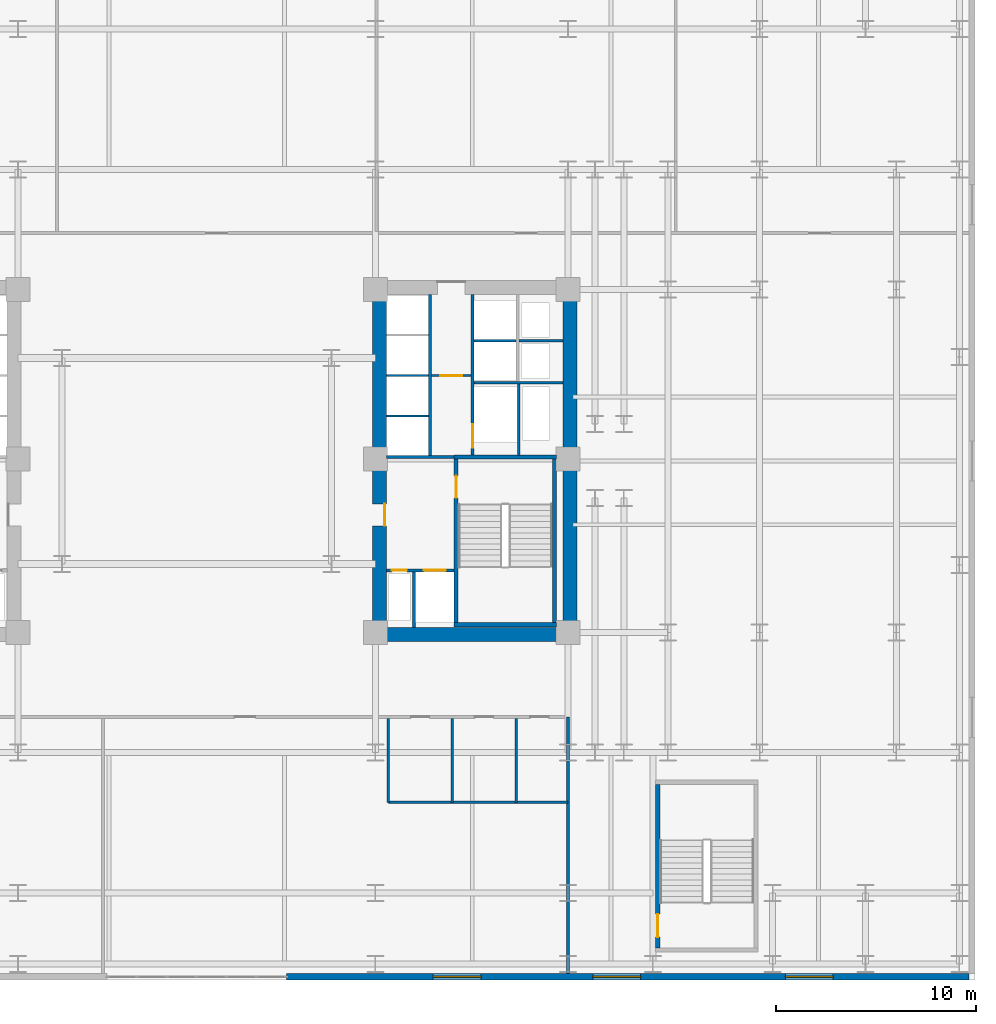
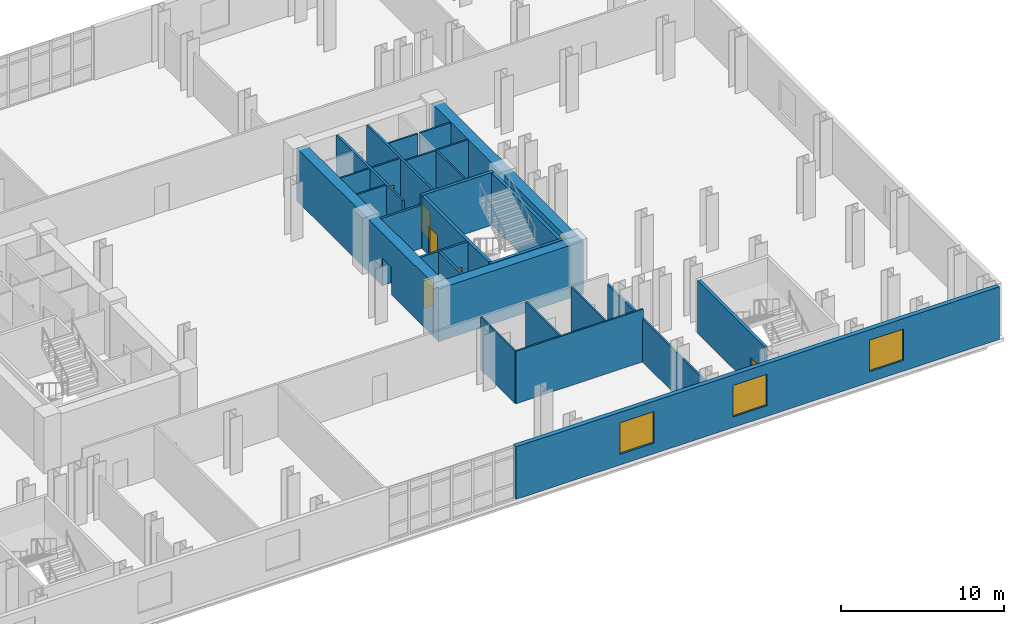
# One storey, part 9 of 13: 26 walls, 7 doors, 3 windows, 10 openings.
"""IFC4 building model written with IfcOpenShell, lengths in metres."""

import ifcopenshell
import ifcopenshell.guid

model = None  # the IFC model being written
_history = None  # IfcOwnerHistory: only IFC2X3 demands one
_inside = {}  # id of a spatial element -> (the spatial element, [elements in it])
_under = {}  # id of a project, library or spatial element -> (it, [spatial elements below it])
_declared = {}  # id of a project -> (the project, [libraries it declares])
_typed = {}  # id of a type object -> (the type object, [elements of that type])
_made_of = {}  # id of a material, layer set ... -> (it, [elements and type objects made of it])


def new_model(schema):
    """Start an empty IFC model of exactly this schema.

    Asked for "IFC4X3", IfcOpenShell would pick the latest addendum, in which some entities
    have other attributes; the version numbers below select the first issue.
    IFC2X3 requires an IfcOwnerHistory on every rooted entity: one is made here for all.
    """
    global model, _history
    if schema == "IFC4X3":
        model = ifcopenshell.file(schema_version=(4, 3, 0, 0))
    else:
        model = ifcopenshell.file(schema=schema)
    _inside.clear()
    _under.clear()
    _declared.clear()
    _typed.clear()
    _made_of.clear()
    _history = None
    if model.schema == "IFC2X3":
        org = make("IfcOrganization", Name="unknown")
        user = make(
            "IfcPersonAndOrganization",
            ThePerson=make("IfcPerson", FamilyName="unknown"),
            TheOrganization=org,
        )
        app = make(
            "IfcApplication",
            ApplicationDeveloper=org,
            Version="unknown",
            ApplicationFullName="unknown",
            ApplicationIdentifier="unknown",
        )
        _history = make(
            "IfcOwnerHistory",
            OwningUser=user,
            OwningApplication=app,
            ChangeAction="ADDED",
            CreationDate=0,
        )
    return model


def make(cls, **values):
    """One entity of the class cls with the attributes given. An attribute that is None is left unset."""
    return model.create_entity(
        cls, **{name: value for name, value in values.items() if value is not None}
    )


def rooted(cls, **values):
    """An entity with a GlobalId (a new one), such as an element, a storey or a relation."""
    return make(cls, GlobalId=ifcopenshell.guid.new(), OwnerHistory=_history, **values)


def si_unit(unit_type, name, prefix=None):
    """IfcSIUnit, for example si_unit("LENGTHUNIT", "METRE", prefix="MILLI")."""
    return make("IfcSIUnit", UnitType=unit_type, Prefix=prefix, Name=name)


def assignment(units):
    """IfcUnitAssignment: the units of a project."""
    return None if units is None else make("IfcUnitAssignment", Units=units)


def point(xyz):
    """IfcCartesianPoint."""
    return None if xyz is None else make("IfcCartesianPoint", Coordinates=xyz)


def direction(xyz):
    """IfcDirection."""
    return None if xyz is None else make("IfcDirection", DirectionRatios=xyz)


def frame(location, z_axis=None, x_axis=None):
    """IfcAxis2Placement3D, a coordinate frame: its origin and axes. An axis left out is left unset."""
    return make(
        "IfcAxis2Placement3D",
        Location=point(location),
        Axis=direction(z_axis),
        RefDirection=direction(x_axis),
    )


def frame_2d(location, x_axis=None):
    """IfcAxis2Placement2D, a coordinate frame in the plane: its origin and x axis."""
    return make(
        "IfcAxis2Placement2D", Location=point(location), RefDirection=direction(x_axis)
    )


def origin():
    """The frame at (0, 0, 0) with its axes left unset."""
    return frame((0.0, 0.0, 0.0))


def place(relative_to, where):
    """IfcLocalPlacement: puts the frame where relative to a parent placement (None: the world)."""
    return make(
        "IfcLocalPlacement", PlacementRelTo=relative_to, RelativePlacement=where
    )


def context(
    kind, dimensions, precision=None, world=None, true_north=None, identifier=None
):
    """IfcGeometricRepresentationContext, for example the 3D "Model" context."""
    return make(
        "IfcGeometricRepresentationContext",
        ContextIdentifier=identifier,
        ContextType=kind,
        CoordinateSpaceDimension=dimensions,
        Precision=precision,
        WorldCoordinateSystem=world,
        TrueNorth=true_north,
    )


def subcontext(parent, identifier, kind, view, scale=None):
    """IfcGeometricRepresentationSubContext, for example "Body" below "Model"."""
    return make(
        "IfcGeometricRepresentationSubContext",
        ContextIdentifier=identifier,
        ContextType=kind,
        ParentContext=parent,
        TargetScale=scale,
        TargetView=view,
    )


def project(units=None, contexts=None):
    """IfcProject with its units and contexts."""
    return rooted(
        "IfcProject",
        Name="project",
        RepresentationContexts=contexts,
        UnitsInContext=assignment(units),
    )


def spatial(cls, under=None, at=None, **own):
    """A site, building, storey or space (cls), placed at a placement, below another one or the project."""
    s = rooted(cls, ObjectPlacement=at, **own)
    if under is not None:
        _under.setdefault(under.id(), (under, []))[1].append(s)
    return s


def profile(cls, at=None, kind="AREA", **sizes):
    """A parametric profile (cls). Its sizes go by their IFC names, for example OverallWidth=200.0."""
    return make(cls, ProfileType=kind, Position=at, **sizes)


def rectangle(**sizes):
    """IfcRectangleProfileDef."""
    return profile("IfcRectangleProfileDef", **sizes)


def extrude(swept, where, along, depth):
    """IfcExtrudedAreaSolid: the profile swept, set in the frame where, extruded along a direction by depth."""
    return make(
        "IfcExtrudedAreaSolid",
        SweptArea=swept,
        Position=where,
        ExtrudedDirection=direction(along),
        Depth=depth,
    )


def shape(context_of_items, identifier, shape_type, items):
    """IfcShapeRepresentation: the items that make up one representation, for example the "Body"."""
    return make(
        "IfcShapeRepresentation",
        ContextOfItems=context_of_items,
        RepresentationIdentifier=identifier,
        RepresentationType=shape_type,
        Items=items,
    )


def material(Name=None, Category=None):
    """IfcMaterial."""
    return make("IfcMaterial", Name=Name, Category=Category)


def layer(
    of_material, thickness, ventilated=None, Name=None, Category=None, Priority=None
):
    """IfcMaterialLayer: one layer of a wall or slab, of a material (None: an air gap)."""
    return make(
        "IfcMaterialLayer",
        Material=of_material,
        LayerThickness=thickness,
        IsVentilated=ventilated,
        Name=Name,
        Category=Category,
        Priority=Priority,
    )


def layer_set(layers, Name=None):
    """IfcMaterialLayerSet."""
    return make("IfcMaterialLayerSet", MaterialLayers=layers, LayerSetName=Name)


def made_of(thing, what):
    """Note that an element or type object is made of a material, layer set ...; save() writes the relation."""
    if what is not None:
        _made_of.setdefault(what.id(), (what, []))[1].append(thing)
    return thing


def type_object(cls, material=None, **own):
    """A type object (cls), such as IfcWallType, which elements share."""
    return made_of(rooted(cls, **own), material)


def element(
    cls,
    number,
    at=None,
    inside=None,
    cuts=None,
    type_object=None,
    material=None,
    context=None,
    identifier="Body",
    shape_type=None,
    held_by="IfcProductDefinitionShape",
    body=None,
    shapes=None,
    **own,
):
    """One element of the class cls, such as IfcWall. Its Tag is "e" and its number.

    at: its placement. inside: the storey or other place that contains it. cuts: it is an
    opening in that element (IfcRelVoidsElement). A single representation is given by context,
    identifier, shape_type and body (its items); several are given by shapes. held_by: the class
    of the entity that holds the representations. save() writes the other relations.
    """
    e = rooted(cls, Tag="e%d" % number, ObjectPlacement=at, **own)
    if body is not None:
        shapes = [shape(context, identifier, shape_type, body)]
    if shapes is not None:
        e.Representation = make(held_by, Representations=shapes)
    if inside is not None:
        _inside.setdefault(inside.id(), (inside, []))[1].append(e)
    if cuts is not None:
        rooted(
            "IfcRelVoidsElement", RelatingBuildingElement=cuts, RelatedOpeningElement=e
        )
    if type_object is not None:
        _typed.setdefault(type_object.id(), (type_object, []))[1].append(e)
    return made_of(e, material)


def fill(opening, filler):
    """IfcRelFillsElement: the door or window that sits in an opening."""
    return rooted(
        "IfcRelFillsElement",
        RelatingOpeningElement=opening,
        RelatedBuildingElement=filler,
    )


def aggregate(whole, parts):
    """IfcRelAggregates: a whole, such as a stair, and the parts it consists of."""
    return rooted("IfcRelAggregates", RelatingObject=whole, RelatedObjects=parts)


def save(model, path):
    """Write the relations noted so far, then the file.

    IfcRelAggregates (storeys below a building ...), IfcRelContainedInSpatialStructure (elements
    in a storey), IfcRelDefinesByType, IfcRelAssociatesMaterial and IfcRelDeclares: one each for
    every whole, place, type object, material and project.
    """
    for whole, parts in _under.values():
        aggregate(whole, parts)
    for where, things in _inside.values():
        rooted(
            "IfcRelContainedInSpatialStructure",
            RelatedElements=things,
            RelatingStructure=where,
        )
    for kind, things in _typed.values():
        rooted("IfcRelDefinesByType", RelatedObjects=things, RelatingType=kind)
    for what, things in _made_of.values():
        rooted("IfcRelAssociatesMaterial", RelatedObjects=things, RelatingMaterial=what)
    for by, libraries in _declared.values():
        rooted("IfcRelDeclares", RelatingContext=by, RelatedDefinitions=libraries)
    model.write(path)


model = new_model("IFC4")

# Units and contexts
model_context = context("Model", 3, precision=1e-05, world=origin(), true_north=direction((0.0, 1.0)))
body_context = subcontext(model_context, "Body", "Model", "MODEL_VIEW")
ifc_project = project(units=[si_unit("LENGTHUNIT", "METRE"), si_unit("AREAUNIT", "SQUARE_METRE"), si_unit("VOLUMEUNIT", "CUBIC_METRE"), si_unit("PLANEANGLEUNIT", "RADIAN"), si_unit("MASSUNIT", "GRAM", prefix="KILO")], contexts=[model_context])

# Site, building, storey
site_placement = place(None, origin())
site = spatial("IfcSite", under=ifc_project, at=site_placement, CompositionType="ELEMENT")
building_placement = place(site_placement, origin())
building = spatial("IfcBuilding", under=site, at=building_placement, Name="Velakula Bourse", CompositionType="ELEMENT")
storey_placement = place(building_placement, frame((0.0, 0.0, 18.60009765625)))
storey = spatial("IfcBuildingStorey", under=building, at=storey_placement, Name="L04", CompositionType="ELEMENT", Elevation=18.60009765625)

# Wall, opening, door
ifc_material_1 = material(Name="Concrete M50 (fck 50 MPa)", Category="concrete")
ifc_layer_1 = layer(ifc_material_1, 0.2099609375, Name="Concrete M50 (fck 50 MPa)", Category="concrete")
ifc_layer_set_1 = layer_set([ifc_layer_1], Name="Concrete M50 (fck 50 MPa)")
wall_type_1 = type_object("IfcWallType", Name="WL-CORE-210", PredefinedType="SHEAR", material=ifc_layer_set_1)
wall_1_placement = place(storey_placement, frame((12.9951171875, -8.10009765625, 0.0), z_axis=(0.0, 0.0, 1.0), x_axis=(0.0, 1.0, 0.0)))
wall_1 = element("IfcWall", 1, at=wall_1_placement, inside=storey, type_object=wall_type_1, Name="L04 Core E Stairwell Shear Wall IN", PredefinedType="SHEAR", context=body_context, shape_type="SweptSolid", body=[
    extrude(rectangle(XDim=8.2001953125, YDim=0.2099609375, at=frame_2d((4.10009765625, 0.0))), origin(), (0.0, 0.0, 1.0), 3.949951171875),
])
opening_1_placement = place(wall_1_placement, frame((6.25, 0.0, 0.0)))
opening_1 = element("IfcOpeningElement", 2, at=opening_1_placement, cuts=wall_1, Name="Opening D-STE1", PredefinedType="OPENING", context=body_context, shape_type="SweptSolid", body=[
    extrude(rectangle(XDim=1.10009765625, YDim=2.14990234375, at=frame_2d((0.550048828125, 1.074951171875))), frame((0.0, 0.114990234375, 0.0), z_axis=(0.0, -1.0, 0.0), x_axis=(1.0, 0.0, 0.0)), (0.0, 0.0, 1.0), 0.22998046875),
])
ifc_material_2 = material(Name="Galvanised painted hollow steel fire door", Category="steel")
door_type_1 = type_object("IfcDoorType", Name="DR-FD120-1100x2150", OperationType="NOTDEFINED", PredefinedType="DOOR", material=ifc_material_2)
door_1_placement = place(opening_1_placement, origin())
door_1 = element("IfcDoor", 3, at=door_1_placement, inside=storey, type_object=door_type_1, Name="L04 Stair ST-E1 Fire Door", OperationType="SINGLE_SWING_RIGHT", OverallHeight=2.14990234375, OverallWidth=1.10009765625, PredefinedType="DOOR", context=body_context, shape_type="SweptSolid", body=[
    extrude(rectangle(XDim=1.10009765625, YDim=2.14990234375, at=frame_2d((0.550048828125, 1.074951171875))), frame((0.0, 0.02490234375, 0.0), z_axis=(0.0, -1.0, 0.0), x_axis=(1.0, 0.0, 0.0)), (0.0, 0.0, 1.0), 0.050048828125),
])
fill(opening_1, door_1)

# Walls
wall_2_placement = place(storey_placement, frame((17.925048828125, -8.10009765625, 0.0), z_axis=(0.0, 0.0, 1.0), x_axis=(0.0, 1.0, 0.0)))
element("IfcWall", 4, at=wall_2_placement, inside=storey, type_object=wall_type_1, Name="L04 Core E Stairwell Shear Wall OUT", PredefinedType="SHEAR", context=body_context, shape_type="SweptSolid", body=[
    extrude(rectangle(XDim=8.2001953125, YDim=0.2099609375, at=frame_2d((4.10009765625, 0.0))), origin(), (0.0, 0.0, 1.0), 3.949951171875),
])
for number, where, z_axis, x_axis, name in (
    (5, (12.889892578125, -8.205078125, 0.0), (0.0, 0.0, 1.0), (1.0, 0.0, 0.0), "L04 Core E Stairwell Shear Wall S"),
    (6, (18.030029296875, 0.205078125, 0.0), (0.0, 0.0, 1.0), (-1.0, 0.0, 0.0), "L04 Core E Stairwell Shear Wall N"),
):
    element("IfcWall", number, at=place(storey_placement, frame(where, z_axis=z_axis, x_axis=x_axis)), inside=storey, type_object=wall_type_1, Name=name, PredefinedType="SHEAR", context=body_context, shape_type="SweptSolid", body=[
        extrude(rectangle(XDim=5.14013671875, YDim=0.2099609375, at=frame_2d((2.570068359375, 0.0))), origin(), (0.0, 0.0, 1.0), 3.949951171875),
    ])

# Wall, opening, door
wall_3_placement = place(storey_placement, frame((23.094970703125, -24.39990234375, 0.0), z_axis=(0.0, 0.0, 1.0), x_axis=(0.0, 1.0, 0.0)))
wall_3 = element("IfcWall", 7, at=wall_3_placement, inside=storey, type_object=wall_type_1, Name="L04 Podium Stair ST-P2 Shear Wall W", PredefinedType="SHEAR", context=body_context, shape_type="SweptSolid", body=[
    extrude(rectangle(XDim=8.199951171875, YDim=0.2099609375, at=frame_2d((4.10009765625, 0.0))), origin(), (0.0, 0.0, 1.0), 3.949951171875),
])
opening_2_placement = place(wall_3_placement, frame((0.550048828125, 0.0, 0.0)))
opening_2 = element("IfcOpeningElement", 8, at=opening_2_placement, cuts=wall_3, Name="Opening D-P2", PredefinedType="OPENING", context=body_context, shape_type="SweptSolid", body=[
    extrude(rectangle(XDim=1.14990234375, YDim=2.10009765625, at=frame_2d((0.574951171875, 1.050048828125))), frame((0.0, 0.114990234375, 0.0), z_axis=(0.0, -1.0, 0.0), x_axis=(1.0, 0.0, 0.0)), (0.0, 0.0, 1.0), 0.22998046875),
])
door_type_2 = type_object("IfcDoorType", Name="DR-FD120-1150x2100", OperationType="NOTDEFINED", PredefinedType="DOOR", material=ifc_material_2)
door_2_placement = place(opening_2_placement, origin())
door_2 = element("IfcDoor", 9, at=door_2_placement, inside=storey, type_object=door_type_2, Name="L04 Stair ST-P2 Fire Door", OperationType="SINGLE_SWING_RIGHT", OverallHeight=2.10009765625, OverallWidth=1.14990234375, PredefinedType="DOOR", context=body_context, shape_type="SweptSolid", body=[
    extrude(rectangle(XDim=1.14990234375, YDim=2.10009765625, at=frame_2d((0.574951171875, 1.050048828125))), frame((0.0, 0.02490234375, 0.0), z_axis=(0.0, -1.0, 0.0), x_axis=(1.0, 0.0, 0.0)), (0.0, 0.0, 1.0), 0.050048828125),
])
fill(opening_2, door_2)

# Wall
ifc_material_3 = material(Name="Concrete M70 (fck 70 MPa)", Category="concrete")
ifc_layer_2 = layer(ifc_material_3, 0.699951171875, Name="Concrete M70 (fck 70 MPa)", Category="concrete")
ifc_layer_set_2 = layer_set([ifc_layer_2], Name="Concrete M70 (fck 70 MPa)")
wall_type_2 = type_object("IfcWallType", Name="WL-CORE-700", PredefinedType="SHEAR", material=ifc_layer_set_2)
wall_4_placement = place(storey_placement, frame((8.800048828125, -8.699951171875, 0.0), z_axis=(0.0, 0.0, 1.0), x_axis=(1.0, 0.0, 0.0)))
element("IfcWall", 10, at=wall_4_placement, inside=storey, type_object=wall_type_2, Name="L04 Core E Shear Wall S", PredefinedType="SHEAR", context=body_context, shape_type="SweptSolid", body=[
    extrude(rectangle(XDim=10.25, YDim=0.699951171875, at=frame_2d((5.125, 0.0))), origin(), (0.0, 0.0, 1.0), 3.949951171875),
])

# Wall, opening, door
wall_5_placement = place(storey_placement, frame((9.14990234375, -8.35009765625, 0.0), z_axis=(0.0, 0.0, 1.0), x_axis=(0.0, 1.0, 0.0)))
wall_5 = element("IfcWall", 11, at=wall_5_placement, inside=storey, type_object=wall_type_2, Name="L04 Core E Shear Wall W", PredefinedType="SHEAR", context=body_context, shape_type="SweptSolid", body=[
    extrude(rectangle(XDim=16.7001953125, YDim=0.699951171875, at=frame_2d((8.35009765625, 0.0))), origin(), (0.0, 0.0, 1.0), 3.949951171875),
])
opening_3_placement = place(wall_5_placement, frame((5.10009765625, 0.0, 0.0)))
opening_3 = element("IfcOpeningElement", 12, at=opening_3_placement, cuts=wall_5, Name="Opening D-FLE", PredefinedType="OPENING", context=body_context, shape_type="SweptSolid", body=[
    extrude(rectangle(XDim=1.10009765625, YDim=2.080078125, at=frame_2d((0.550048828125, 1.0400390625))), frame((0.0, 0.35986328125, 0.0), z_axis=(0.0, -1.0, 0.0), x_axis=(1.0, 0.0, 0.0)), (0.0, 0.0, 1.0), 0.719970703125),
])
door_type_3 = type_object("IfcDoorType", Name="DR-FD120-1100", OperationType="NOTDEFINED", PredefinedType="DOOR", material=ifc_material_2)
door_3_placement = place(opening_3_placement, origin())
door_3 = element("IfcDoor", 13, at=door_3_placement, inside=storey, type_object=door_type_3, Name="L04 Firefighting Lobby E Corridor Fire Door", OperationType="SINGLE_SWING_RIGHT", OverallHeight=2.080078125, OverallWidth=1.10009765625, PredefinedType="DOOR", context=body_context, shape_type="SweptSolid", body=[
    extrude(rectangle(XDim=1.10009765625, YDim=2.080078125, at=frame_2d((0.550048828125, 1.0400390625))), frame((0.0, -0.2548828125, 0.0), z_axis=(0.0, -1.0, 0.0), x_axis=(1.0, 0.0, 0.0)), (0.0, 0.0, 1.0), 0.050048828125),
])
fill(opening_3, door_3)

# Wall
wall_6_placement = place(storey_placement, frame((18.699951171875, -8.35009765625, 0.0), z_axis=(0.0, 0.0, 1.0), x_axis=(0.0, 1.0, 0.0)))
element("IfcWall", 14, at=wall_6_placement, inside=storey, type_object=wall_type_2, Name="L04 Core E Shear Wall E", PredefinedType="SHEAR", context=body_context, shape_type="SweptSolid", body=[
    extrude(rectangle(XDim=16.7001953125, YDim=0.699951171875, at=frame_2d((8.35009765625, 0.0))), origin(), (0.0, 0.0, 1.0), 3.949951171875),
])

# Wall, openings, windows
ifc_material_4 = material(Name="Red kilned clay facing brick masonry", Category="masonry")
ifc_layer_3 = layer(ifc_material_4, 0.320068359375, Name="Red kilned clay facing brick masonry", Category="masonry")
ifc_layer_set_3 = layer_set([ifc_layer_3], Name="Red kilned clay facing brick masonry")
wall_type_3 = type_object("IfcWallType", Name="WL-EXT-BRK-320", PredefinedType="STANDARD", material=ifc_layer_set_3)
wall_7_placement = place(storey_placement, frame((38.679931640625, -25.840087890625, 0.0), z_axis=(0.0, 0.0, 1.0), x_axis=(-1.0, 0.0, 0.0)))
wall_7 = element("IfcWall", 15, at=wall_7_placement, inside=storey, type_object=wall_type_3, Name="L04 South Brick Facade Wall 1", PredefinedType="STANDARD", context=body_context, shape_type="SweptSolid", body=[
    extrude(rectangle(XDim=34.179931640625, YDim=0.320068359375, at=frame_2d((17.08984375, 0.0))), origin(), (0.0, 0.0, 1.0), 3.929931640625),
])
opening_4_placement = place(wall_7_placement, frame((6.794921875, 0.0, 0.800048828125)))
opening_4 = element("IfcOpeningElement", 16, at=opening_4_placement, cuts=wall_7, Name="Opening W-06", PredefinedType="OPENING", context=body_context, shape_type="SweptSolid", body=[
    extrude(rectangle(XDim=2.39990234375, YDim=2.35009765625, at=frame_2d((1.199951171875, 1.175048828125))), frame((0.0, 0.169921875, 0.0), z_axis=(0.0, -1.0, 0.0), x_axis=(1.0, 0.0, 0.0)), (0.0, 0.0, 1.0), 0.340087890625),
])
opening_5_placement = place(wall_7_placement, frame((16.43994140625, 0.0, 0.800048828125)))
opening_5 = element("IfcOpeningElement", 17, at=opening_5_placement, cuts=wall_7, Name="Opening W-06", PredefinedType="OPENING", context=body_context, shape_type="SweptSolid", body=[
    extrude(rectangle(XDim=2.39990234375, YDim=2.35009765625, at=frame_2d((1.199951171875, 1.175048828125))), frame((0.0, 0.169921875, 0.0), z_axis=(0.0, -1.0, 0.0), x_axis=(1.0, 0.0, 0.0)), (0.0, 0.0, 1.0), 0.340087890625),
])
opening_6_placement = place(wall_7_placement, frame((24.43505859375, 0.0, 0.800048828125)))
opening_6 = element("IfcOpeningElement", 18, at=opening_6_placement, cuts=wall_7, Name="Opening W-06", PredefinedType="OPENING", context=body_context, shape_type="SweptSolid", body=[
    extrude(rectangle(XDim=2.39990234375, YDim=2.35009765625, at=frame_2d((1.199951171875, 1.175048828125))), frame((0.0, 0.169921875, 0.0), z_axis=(0.0, -1.0, 0.0), x_axis=(1.0, 0.0, 0.0)), (0.0, 0.0, 1.0), 0.340087890625),
])
ifc_material_5 = material(Name="Double-glazed solar-control Low-E glass", Category="glass")
window_type = type_object("IfcWindowType", Name="WIN-POD-2400x2600", PartitioningType="DOUBLE_PANEL_VERTICAL", PredefinedType="WINDOW", material=ifc_material_5)
window_1_placement = place(opening_4_placement, origin())
window_1 = element("IfcWindow", 19, at=window_1_placement, inside=storey, type_object=window_type, Name="L04 Deep-Set Recessed Window 1", OverallHeight=2.35009765625, OverallWidth=2.39990234375, PartitioningType="DOUBLE_PANEL_VERTICAL", PredefinedType="WINDOW", context=body_context, shape_type="SweptSolid", body=[
    extrude(rectangle(XDim=2.39990234375, YDim=2.35009765625, at=frame_2d((1.199951171875, 1.175048828125))), frame((0.0, 0.030029296875, 0.0), z_axis=(0.0, -1.0, 0.0), x_axis=(1.0, 0.0, 0.0)), (0.0, 0.0, 1.0), 0.06005859375),
])
fill(opening_4, window_1)
window_2_placement = place(opening_5_placement, origin())
window_2 = element("IfcWindow", 20, at=window_2_placement, inside=storey, type_object=window_type, Name="L04 Deep-Set Recessed Window 2", OverallHeight=2.35009765625, OverallWidth=2.39990234375, PartitioningType="DOUBLE_PANEL_VERTICAL", PredefinedType="WINDOW", context=body_context, shape_type="SweptSolid", body=[
    extrude(rectangle(XDim=2.39990234375, YDim=2.35009765625, at=frame_2d((1.199951171875, 1.175048828125))), frame((0.0, 0.030029296875, 0.0), z_axis=(0.0, -1.0, 0.0), x_axis=(1.0, 0.0, 0.0)), (0.0, 0.0, 1.0), 0.06005859375),
])
fill(opening_5, window_2)
window_3_placement = place(opening_6_placement, origin())
window_3 = element("IfcWindow", 21, at=window_3_placement, inside=storey, type_object=window_type, Name="L04 Deep-Set Recessed Window 3", OverallHeight=2.35009765625, OverallWidth=2.39990234375, PartitioningType="DOUBLE_PANEL_VERTICAL", PredefinedType="WINDOW", context=body_context, shape_type="SweptSolid", body=[
    extrude(rectangle(XDim=2.39990234375, YDim=2.35009765625, at=frame_2d((1.199951171875, 1.175048828125))), frame((0.0, 0.030029296875, 0.0), z_axis=(0.0, -1.0, 0.0), x_axis=(1.0, 0.0, 0.0)), (0.0, 0.0, 1.0), 0.06005859375),
])
fill(opening_6, window_3)

# Wall, opening, door
ifc_material_6 = material(Name="Fire-rated double-layer gypsum drywall partition", Category="gypsum")
ifc_layer_4 = layer(ifc_material_6, 0.1201171875, Name="Fire-rated double-layer gypsum drywall partition", Category="gypsum")
ifc_layer_set_4 = layer_set([ifc_layer_4], Name="Fire-rated double-layer gypsum drywall partition")
wall_type_4 = type_object("IfcWallType", Name="WL-PART-120", PredefinedType="STANDARD", material=ifc_layer_set_4)
wall_8_placement = place(storey_placement, frame((11.75, 4.280029296875, 0.0), z_axis=(0.0, 0.0, 1.0), x_axis=(1.0, 0.0, 0.0)))
wall_8 = element("IfcWall", 22, at=wall_8_placement, inside=storey, type_object=wall_type_4, Name="L04 Interior Partition WL-CRE-L04-LL-K2", PredefinedType="STANDARD", context=body_context, shape_type="SweptSolid", body=[
    extrude(rectangle(XDim=2.0, YDim=0.1201171875, at=frame_2d((1.0, 0.0))), origin(), (0.0, 0.0, 1.0), 3.929931640625),
])
opening_7_placement = place(wall_8_placement, frame((0.449951171875, 0.0, 0.0)))
opening_7 = element("IfcOpeningElement", 23, at=opening_7_placement, cuts=wall_8, Name="Opening D-LK2", PredefinedType="OPENING", context=body_context, shape_type="SweptSolid", body=[
    extrude(rectangle(XDim=1.10009765625, YDim=2.10009765625, at=frame_2d((0.550048828125, 1.050048828125))), frame((0.0, 0.070068359375, 0.0), z_axis=(0.0, -1.0, 0.0), x_axis=(1.0, 0.0, 0.0)), (0.0, 0.0, 1.0), 0.14013671875),
])
ifc_material_7 = material(Name="Fire-rated hardwood flush architectural door", Category="wood")
door_type_4 = type_object("IfcDoorType", Name="DR-FD60-1100x2100", OperationType="NOTDEFINED", PredefinedType="DOOR", material=ifc_material_7)
door_4_placement = place(opening_7_placement, origin())
door_4 = element("IfcDoor", 24, at=door_4_placement, inside=storey, type_object=door_type_4, Name="L04 Core E Lift Lobby Zone Door", OperationType="SINGLE_SWING_LEFT", OverallHeight=2.10009765625, OverallWidth=1.10009765625, PredefinedType="DOOR", context=body_context, shape_type="SweptSolid", body=[
    extrude(rectangle(XDim=1.10009765625, YDim=2.10009765625, at=frame_2d((0.550048828125, 1.050048828125))), frame((0.0, 0.02490234375, 0.0), z_axis=(0.0, -1.0, 0.0), x_axis=(1.0, 0.0, 0.0)), (0.0, 0.0, 1.0), 0.050048828125),
])
fill(opening_7, door_4)

# Walls
for number, where, z_axis, x_axis, name in (
    (25, (9.5, 2.2548828125, 0.0), (0.0, 0.0, 1.0), (1.0, 0.0, 0.0), "L04 Interior Partition WL-CRE-L04-BDIV-0"),
    (26, (9.5, 4.284912109375, 0.0), (0.0, 0.0, 1.0), (1.0, 0.0, 0.0), "L04 Interior Partition WL-CRE-L04-BDIV-1"),
):
    element("IfcWall", number, at=place(storey_placement, frame(where, z_axis=z_axis, x_axis=x_axis)), inside=storey, type_object=wall_type_4, Name=name, PredefinedType="STANDARD", context=body_context, shape_type="SweptSolid", body=[
        extrude(rectangle(XDim=2.10009765625, YDim=0.110107421875, at=frame_2d((1.050048828125, 0.0))), origin(), (0.0, 0.0, 1.0), 3.929931640625),
    ])
wall_9_placement = place(storey_placement, frame((13.89990234375, 3.919921875, 0.0), z_axis=(0.0, 0.0, 1.0), x_axis=(1.0, 0.0, 0.0)))
element("IfcWall", 27, at=wall_9_placement, inside=storey, type_object=wall_type_4, Name="L04 Interior Partition WL-CRE-L04-HI-S", PredefinedType="STANDARD", context=body_context, shape_type="SweptSolid", body=[
    extrude(rectangle(XDim=4.4501953125, YDim=0.1201171875, at=frame_2d((2.22509765625, 0.0))), origin(), (0.0, 0.0, 1.0), 3.929931640625),
])
wall_10_placement = place(storey_placement, frame((16.14990234375, 6.030029296875, 0.0), z_axis=(0.0, 0.0, 1.0), x_axis=(1.0, 0.0, 0.0)))
element("IfcWall", 28, at=wall_10_placement, inside=storey, type_object=wall_type_4, Name="L04 Interior Partition WL-CRE-L04-RIS-MID", PredefinedType="STANDARD", context=body_context, shape_type="SweptSolid", body=[
    extrude(rectangle(XDim=2.2001953125, YDim=0.1201171875, at=frame_2d((1.10009765625, 0.0))), origin(), (0.0, 0.0, 1.0), 3.929931640625),
])
wall_11_placement = place(storey_placement, frame((13.89990234375, 6.030029296875, 0.0), z_axis=(0.0, 0.0, 1.0), x_axis=(1.0, 0.0, 0.0)))
element("IfcWall", 29, at=wall_11_placement, inside=storey, type_object=wall_type_4, Name="L04 Interior Partition WL-CRE-L04-HI-DIV", PredefinedType="STANDARD", context=body_context, shape_type="SweptSolid", body=[
    extrude(rectangle(XDim=2.10009765625, YDim=0.1201171875, at=frame_2d((1.050048828125, 0.0))), origin(), (0.0, 0.0, 1.0), 3.929931640625),
])
wall_12_placement = place(storey_placement, frame((16.125, 0.27001953125, 0.0), z_axis=(0.0, 0.0, 1.0), x_axis=(0.0, 1.0, 0.0)))
element("IfcWall", 30, at=wall_12_placement, inside=storey, type_object=wall_type_4, Name="L04 Interior Partition WL-CRE-L04-SVL-E", PredefinedType="STANDARD", context=body_context, shape_type="SweptSolid", body=[
    extrude(rectangle(XDim=3.590087890625, YDim=0.1201171875, at=frame_2d((1.794921875, 0.0))), origin(), (0.0, 0.0, 1.0), 3.929931640625),
])
ifc_layer_5 = layer(ifc_material_6, 0.139892578125, Name="Fire-rated double-layer gypsum drywall partition", Category="gypsum")
ifc_layer_set_5 = layer_set([ifc_layer_5], Name="Fire-rated double-layer gypsum drywall partition")
wall_type_5 = type_object("IfcWallType", Name="WL-PART-140", PredefinedType="STANDARD", material=ifc_layer_set_5)
wall_13_placement = place(storey_placement, frame((18.60009765625, -25.679931640625, 0.0), z_axis=(0.0, 0.0, 1.0), x_axis=(0.0, 1.0, 0.0)))
element("IfcWall", 31, at=wall_13_placement, inside=storey, type_object=wall_type_5, Name="L04 Interior Partition WL-POD-L04-SE-END", PredefinedType="STANDARD", context=body_context, shape_type="SweptSolid", body=[
    extrude(rectangle(XDim=12.85986328125, YDim=0.139892578125, at=frame_2d((6.429931640625, 0.0))), origin(), (0.0, 0.0, 1.0), 3.224853515625),
])
wall_14_placement = place(storey_placement, frame((9.60009765625, -17.10009765625, 0.0), z_axis=(0.0, 0.0, 1.0), x_axis=(1.0, 0.0, 0.0)))
element("IfcWall", 32, at=wall_14_placement, inside=storey, type_object=wall_type_5, Name="L04 Interior Partition WL-POD-L04-WC-BACK", PredefinedType="STANDARD", context=body_context, shape_type="SweptSolid", body=[
    extrude(rectangle(XDim=9.0, YDim=0.1201171875, at=frame_2d((4.5, 0.0))), origin(), (0.0, 0.0, 1.0), 3.929931640625),
])
for number, where, z_axis, x_axis, name in (
    (33, (9.60009765625, -17.10009765625, 0.0), (0.0, 0.0, 1.0), (0.0, 1.0, 0.0), "L04 Interior Partition WL-POD-L04-WC-V1"),
    (34, (12.800048828125, -17.10009765625, 0.0), (0.0, 0.0, 1.0), (0.0, 1.0, 0.0), "L04 Interior Partition WL-POD-L04-WC-V2"),
    (35, (16.0, -17.10009765625, 0.0), (0.0, 0.0, 1.0), (0.0, 1.0, 0.0), "L04 Interior Partition WL-POD-L04-WC-V3"),
):
    element("IfcWall", number, at=place(storey_placement, frame(where, z_axis=z_axis, x_axis=x_axis)), inside=storey, type_object=wall_type_5, Name=name, PredefinedType="STANDARD", context=body_context, shape_type="SweptSolid", body=[
        extrude(rectangle(XDim=4.210205078125, YDim=0.1201171875, at=frame_2d((2.10498046875, 0.0))), origin(), (0.0, 0.0, 1.0), 3.929931640625),
    ])

# Wall, openings, doors
ifc_material_8 = material(Name="Autoclaved aerated concrete blockwork masonry", Category="masonry")
ifc_layer_6 = layer(ifc_material_8, 0.14990234375, Name="Autoclaved aerated concrete blockwork masonry", Category="masonry")
ifc_layer_set_6 = layer_set([ifc_layer_6], Name="Autoclaved aerated concrete blockwork masonry")
wall_type_6 = type_object("IfcWallType", Name="WL-SHAFT-150", PredefinedType="STANDARD", material=ifc_layer_set_6)
wall_15_placement = place(storey_placement, frame((9.5, -5.47509765625, 0.0), z_axis=(0.0, 0.0, 1.0), x_axis=(1.0, 0.0, 0.0)))
wall_15 = element("IfcWall", 36, at=wall_15_placement, inside=storey, type_object=wall_type_6, Name="L04 Interior Partition WL-CRE-L04-FFL-N", PredefinedType="STANDARD", context=body_context, shape_type="SweptSolid", body=[
    extrude(rectangle(XDim=3.39501953125, YDim=0.14990234375, at=frame_2d((1.697509765625, 0.0))), origin(), (0.0, 0.0, 1.0), 3.929931640625),
])
opening_8_placement = place(wall_15_placement, frame((1.875, 0.0, 0.0)))
opening_8 = element("IfcOpeningElement", 37, at=opening_8_placement, cuts=wall_15, Name="Opening LD-FFL-2", PredefinedType="OPENING", context=body_context, shape_type="SweptSolid", body=[
    extrude(rectangle(XDim=1.10009765625, YDim=2.14990234375, at=frame_2d((0.550048828125, 1.074951171875))), frame((0.0, 0.0849609375, 0.0), z_axis=(0.0, -1.0, 0.0), x_axis=(1.0, 0.0, 0.0)), (0.0, 0.0, 1.0), 0.169921875),
])
opening_9_placement = place(wall_15_placement, frame((0.27490234375, 0.0, 0.0)))
opening_9 = element("IfcOpeningElement", 38, at=opening_9_placement, cuts=wall_15, Name="Opening D-RS1", PredefinedType="OPENING", context=body_context, shape_type="SweptSolid", body=[
    extrude(rectangle(XDim=0.75, YDim=2.050048828125, at=frame_2d((0.375, 1.02490234375))), frame((0.0, 0.0849609375, 0.0), z_axis=(0.0, -1.0, 0.0), x_axis=(1.0, 0.0, 0.0)), (0.0, 0.0, 1.0), 0.169921875),
])
door_type_5 = type_object("IfcDoorType", Name="DR-RISER-800", OperationType="NOTDEFINED", PredefinedType="DOOR", material=ifc_material_2)
door_5_placement = place(opening_9_placement, origin())
door_5 = element("IfcDoor", 39, at=door_5_placement, inside=storey, type_object=door_type_5, Name="L04 Fire Riser Access Door", OperationType="SINGLE_SWING_LEFT", OverallHeight=2.050048828125, OverallWidth=0.75, PredefinedType="DOOR", context=body_context, shape_type="SweptSolid", body=[
    extrude(rectangle(XDim=0.75, YDim=2.050048828125, at=frame_2d((0.375, 1.02490234375))), frame((0.0, 0.02490234375, 0.0), z_axis=(0.0, -1.0, 0.0), x_axis=(1.0, 0.0, 0.0)), (0.0, 0.0, 1.0), 0.050048828125),
])
fill(opening_9, door_5)
ifc_material_9 = material(Name="Brushed grade 316 stainless steel", Category="steel")
door_type_6 = type_object("IfcDoorType", Name="DR-SLIDE-FFL-1100", OperationType="DOUBLE_DOOR_SLIDING", PredefinedType="DOOR", material=ifc_material_9)
door_6_placement = place(opening_8_placement, origin())
door_6 = element("IfcDoor", 40, at=door_6_placement, inside=storey, type_object=door_type_6, Name="L04 Firefighting Lift FFL-2 Sliding Landing Door", OperationType="DOUBLE_DOOR_SLIDING", OverallHeight=2.14990234375, OverallWidth=1.10009765625, PredefinedType="DOOR", context=body_context, shape_type="SweptSolid", body=[
    extrude(rectangle(XDim=1.10009765625, YDim=2.14990234375, at=frame_2d((0.550048828125, 1.074951171875))), frame((0.0, 0.02490234375, 0.0), z_axis=(0.0, -1.0, 0.0), x_axis=(1.0, 0.0, 0.0)), (0.0, 0.0, 1.0), 0.050048828125),
])
fill(opening_8, door_6)

# Walls
wall_16_placement = place(storey_placement, frame((10.875, -8.35009765625, 0.0), z_axis=(0.0, 0.0, 1.0), x_axis=(0.0, 1.0, 0.0)))
element("IfcWall", 41, at=wall_16_placement, inside=storey, type_object=wall_type_6, Name="L04 Interior Partition WL-CRE-L04-FR-DIV", PredefinedType="STANDARD", context=body_context, shape_type="SweptSolid", body=[
    extrude(rectangle(XDim=2.800048828125, YDim=0.14990234375, at=frame_2d((1.39990234375, 0.0))), origin(), (0.0, 0.0, 1.0), 3.929931640625),
])
wall_17_placement = place(storey_placement, frame((9.5, 0.18994140625, 0.0), z_axis=(0.0, 0.0, 1.0), x_axis=(1.0, 0.0, 0.0)))
element("IfcWall", 42, at=wall_17_placement, inside=storey, type_object=wall_type_6, Name="L04 Interior Partition WL-CRE-L04-FF-TOP", PredefinedType="STANDARD", context=body_context, shape_type="SweptSolid", body=[
    extrude(rectangle(XDim=3.389892578125, YDim=0.14990234375, at=frame_2d((1.69482421875, 0.0))), origin(), (0.0, 0.0, 1.0), 3.224853515625),
])
wall_18_placement = place(storey_placement, frame((11.675048828125, 0.27001953125, 0.0), z_axis=(0.0, 0.0, 1.0), x_axis=(0.0, 1.0, 0.0)))
element("IfcWall", 43, at=wall_18_placement, inside=storey, type_object=wall_type_6, Name="L04 Interior Partition WL-CRE-L04-BANK-F", PredefinedType="STANDARD", context=body_context, shape_type="SweptSolid", body=[
    extrude(rectangle(XDim=8.080078125, YDim=0.14990234375, at=frame_2d((4.0400390625, 0.0))), origin(), (0.0, 0.0, 1.0), 3.929931640625),
])

# Wall, opening, door
wall_19_placement = place(storey_placement, frame((13.824951171875, 0.27001953125, 0.0), z_axis=(0.0, 0.0, 1.0), x_axis=(0.0, 1.0, 0.0)))
wall_19 = element("IfcWall", 44, at=wall_19_placement, inside=storey, type_object=wall_type_6, Name="L04 Interior Partition WL-CRE-L04-OUT-F", PredefinedType="STANDARD", context=body_context, shape_type="SweptSolid", body=[
    extrude(rectangle(XDim=8.080078125, YDim=0.14990234375, at=frame_2d((4.0400390625, 0.0))), origin(), (0.0, 0.0, 1.0), 3.929931640625),
])
opening_10_placement = place(wall_19_placement, frame((0.3798828125, 0.0, 0.0)))
opening_10 = element("IfcOpeningElement", 45, at=opening_10_placement, cuts=wall_19, Name="Opening LD-SVL1", PredefinedType="OPENING", context=body_context, shape_type="SweptSolid", body=[
    extrude(rectangle(XDim=1.199951171875, YDim=2.10009765625, at=frame_2d((0.60009765625, 1.050048828125))), frame((0.0, 0.0849609375, 0.0), z_axis=(0.0, -1.0, 0.0), x_axis=(1.0, 0.0, 0.0)), (0.0, 0.0, 1.0), 0.169921875),
])
door_type_7 = type_object("IfcDoorType", Name="DR-SLIDE-LD-1200", OperationType="DOUBLE_DOOR_SLIDING", PredefinedType="DOOR", material=ifc_material_9)
door_7_placement = place(opening_10_placement, origin())
door_7 = element("IfcDoor", 46, at=door_7_placement, inside=storey, type_object=door_type_7, Name="L04 Service Lift SVL-1 Sliding Landing Door", OperationType="DOUBLE_DOOR_SLIDING", OverallHeight=2.10009765625, OverallWidth=1.199951171875, PredefinedType="DOOR", context=body_context, shape_type="SweptSolid", body=[
    extrude(rectangle(XDim=1.199951171875, YDim=2.10009765625, at=frame_2d((0.60009765625, 1.050048828125))), frame((0.0, 0.02490234375, 0.0), z_axis=(0.0, -1.0, 0.0), x_axis=(1.0, 0.0, 0.0)), (0.0, 0.0, 1.0), 0.050048828125),
])
fill(opening_10, door_7)

save(model, "model.ifc")
